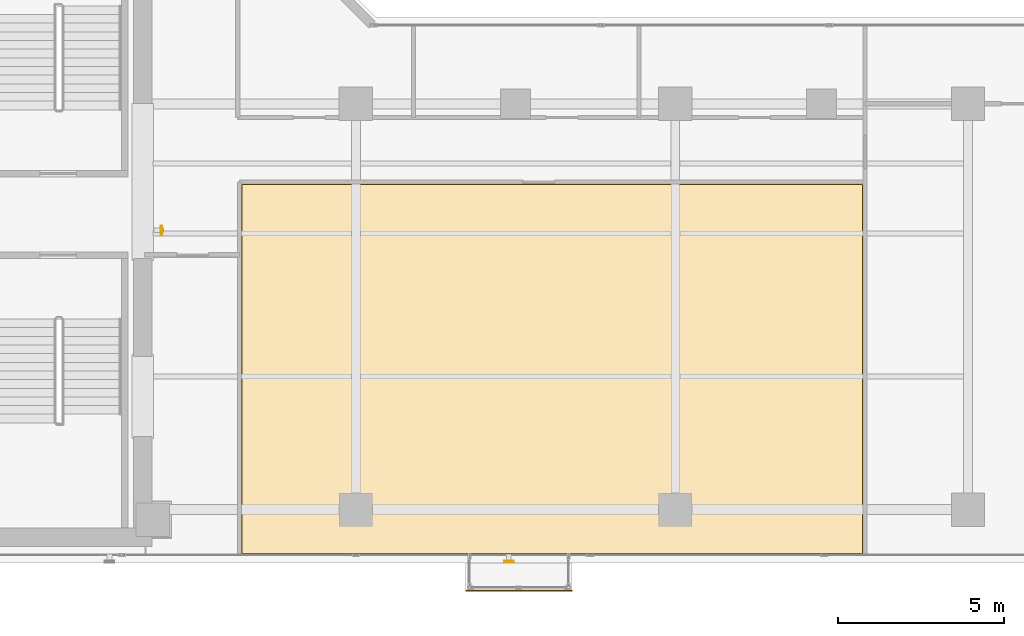
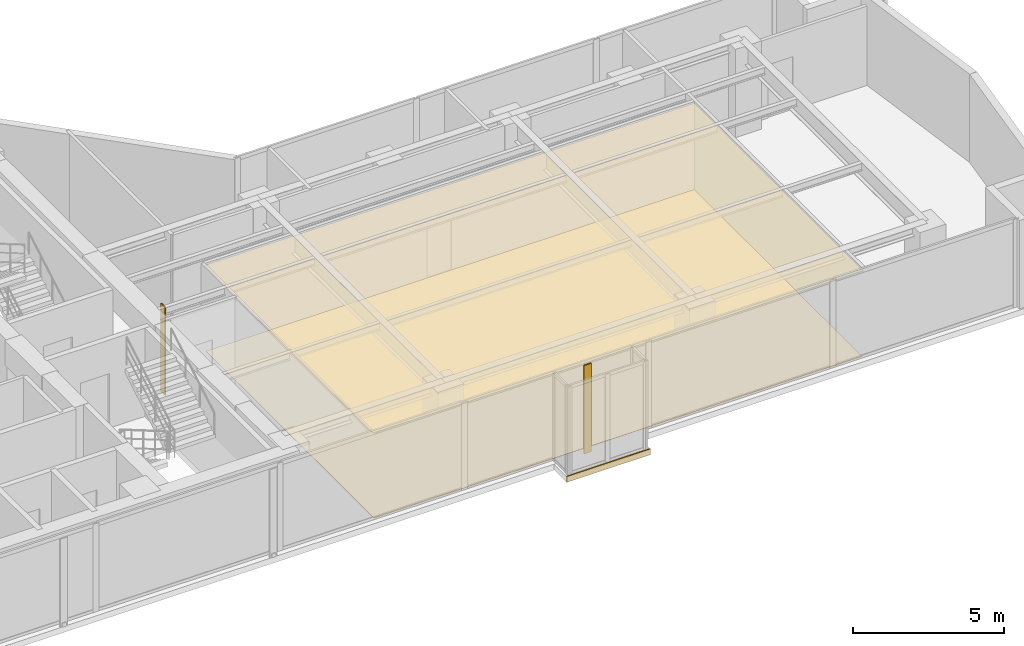
# One storey, part 21 of 23: 3 coverings, 2 shading devices.
"""IFC4 building model written with IfcOpenShell, lengths in metres."""

from ifc_helpers import new_model, si_unit, direction, frame, origin, origin_2d, place, context, subcontext, project, spatial, polyline, rectangle, hollow_rectangle, outline, extrude, material, layer, layer_set, material_profile, profile_set, type_object, element, save


model = new_model("IFC4")

# Units and contexts
model_context = context("Model", 3, precision=1e-05, world=origin(), true_north=direction((0.0, 1.0)))
body_context = subcontext(model_context, "Body", "Model", "MODEL_VIEW")
ifc_project = project(units=[si_unit("LENGTHUNIT", "METRE"), si_unit("AREAUNIT", "SQUARE_METRE"), si_unit("VOLUMEUNIT", "CUBIC_METRE"), si_unit("PLANEANGLEUNIT", "RADIAN"), si_unit("MASSUNIT", "GRAM", prefix="KILO")], contexts=[model_context])

# Site, building, storey
site_placement = place(None, origin())
site = spatial("IfcSite", under=ifc_project, at=site_placement, CompositionType="ELEMENT")
building_placement = place(site_placement, origin())
building = spatial("IfcBuilding", under=site, at=building_placement, Name="Kolvaren Waterfront Exchange", CompositionType="ELEMENT")
storey_placement = place(building_placement, frame((0.0, 0.0, 250.10009765625)))
storey = spatial("IfcBuildingStorey", under=building, at=storey_placement, Name="L64", CompositionType="ELEMENT", Elevation=250.10009765625)

# Coverings
ifc_material_1 = material(Name="Mineral fibre acoustic ceiling tile")
ifc_layer_1 = layer(ifc_material_1, 0.02490234375, Name="Mineral fibre acoustic ceiling tile")
ifc_layer_set_1 = layer_set([ifc_layer_1], Name="Mineral fibre acoustic ceiling tile")
covering_type_1 = type_object("IfcCoveringType", Name="ARC-CEIL-ACOUSTIC-25", PredefinedType="CEILING", material=ifc_layer_set_1)
covering_1_placement = place(storey_placement, frame((0.0, 0.0, 3.44482421875)))
element("IfcCovering", 1, at=covering_1_placement, inside=storey, type_object=covering_type_1, Name="L64 acoustic suspended ceiling 3", PredefinedType="CEILING", context=body_context, shape_type="SweptSolid", body=[
    extrude(outline(polyline([(42.455078125, 3.844970703125), (42.455078125, 15.014892578125), (23.7451171875, 15.014892578125), (23.7451171875, 3.844970703125), (42.455078125, 3.844970703125)])), origin(), (0.0, 0.0, 1.0), 0.025146484375),
])
ifc_material_2 = material(Name="Anodised bronze fascia aluminium", Category="aluminium")
ifc_layer_2 = layer(ifc_material_2, 0.034912109375, Name="Anodised bronze fascia aluminium")
ifc_layer_set_2 = layer_set([ifc_layer_2], Name="Anodised bronze fascia aluminium")
covering_type_2 = type_object("IfcCoveringType", Name="ARC-CLAD-BRONZE-35", PredefinedType="CLADDING", material=ifc_layer_set_2)
covering_2_placement = place(storey_placement, frame((32.10009765625, 2.77001953125, -0.22021484375), z_axis=(0.0, 0.0, 1.0), x_axis=(1.0, 0.0, 0.0)))
element("IfcCovering", 2, at=covering_2_placement, inside=storey, type_object=covering_type_2, Name="L64 ribbed anodised bronze bay-box fascia", PredefinedType="CLADDING", context=body_context, shape_type="SweptSolid", body=[
    extrude(rectangle(XDim=3.199951171875, YDim=0.034912109375, at=origin_2d()), origin(), (0.0, 0.0, 1.0), 0.239990234375),
])

# Shading devices
ifc_material_3 = material(Name="Anodised bronze aluminium 6063-T6", Category="aluminium")
ifc_material_profile = material_profile(ifc_material_3, hollow_rectangle(XDim=0.054931640625, YDim=0.280029296875, WallThickness=0.00439453125, at=origin_2d()), Name="BRZ-FIN-280x55x4.5")
ifc_profile_set = profile_set([ifc_material_profile], Name="Anodised bronze aluminium 6063-T6")
shading_device_type = type_object("IfcShadingDeviceType", Name="ARC-FIN-280", PredefinedType="USERDEFINED", material=ifc_profile_set)
for number, where, z_axis, x_axis, name in (
    (3, (31.800048828125, 3.639892578125, 0.0), (0.0, 0.0, 1.0), (0.0, -1.0, 0.0), "L64 anodised bronze solar shading fin FIN-L64-S3"),
    (4, (21.360107421875, 13.60009765625, 0.0), (0.0, 0.0, 1.0), (1.0, 0.0, 0.0), "L64 anodised bronze solar shading fin FIN-L64-E1"),
):
    element("IfcShadingDevice", number, at=place(storey_placement, frame(where, z_axis=z_axis, x_axis=x_axis)), inside=storey, type_object=shading_device_type, Name=name, ObjectType="SOLAR FIN", PredefinedType="USERDEFINED", context=body_context, shape_type="SweptSolid", body=[
        extrude(hollow_rectangle(XDim=0.054931640625, YDim=0.280029296875, WallThickness=0.00439453125, at=origin_2d()), origin(), (0.0, 0.0, 1.0), 3.559814453125),
    ])

# Covering
ifc_material_4 = material(Name="Slip-resistant porcelain tile")
ifc_layer_3 = layer(ifc_material_4, 0.014892578125, Name="Slip-resistant porcelain tile")
ifc_layer_set_3 = layer_set([ifc_layer_3], Name="Slip-resistant porcelain tile")
covering_type_3 = type_object("IfcCoveringType", Name="ARC-FLR-PORC-15", PredefinedType="FLOORING", material=ifc_layer_set_3)
covering_3_placement = place(storey_placement, origin())
element("IfcCovering", 5, at=covering_3_placement, inside=storey, type_object=covering_type_3, Name="L64 floor finish 3", PredefinedType="FLOORING", context=body_context, shape_type="SweptSolid", body=[
    extrude(outline(polyline([(23.780029296875, 14.97998046875), (23.780029296875, 3.8798828125), (42.419921875, 3.8798828125), (42.419921875, 14.97998046875), (23.780029296875, 14.97998046875)])), origin(), (0.0, 0.0, 1.0), 0.014892578125),
])

save(model, "model.ifc")
